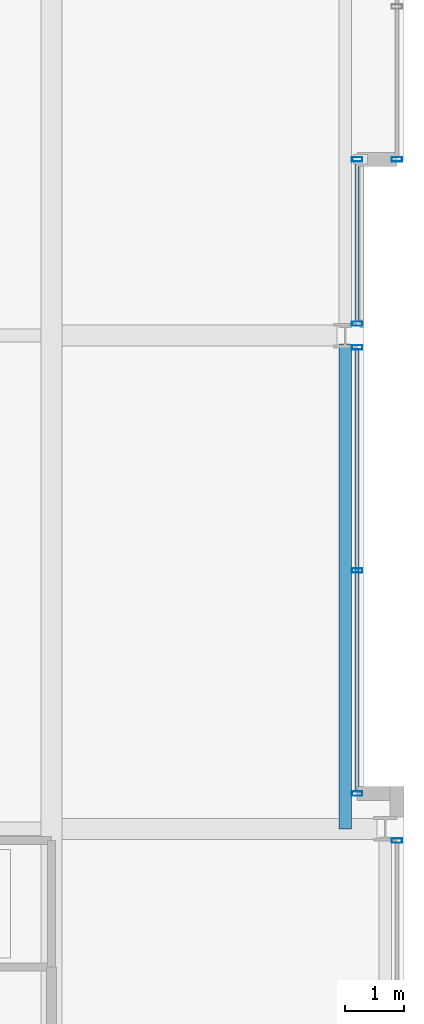
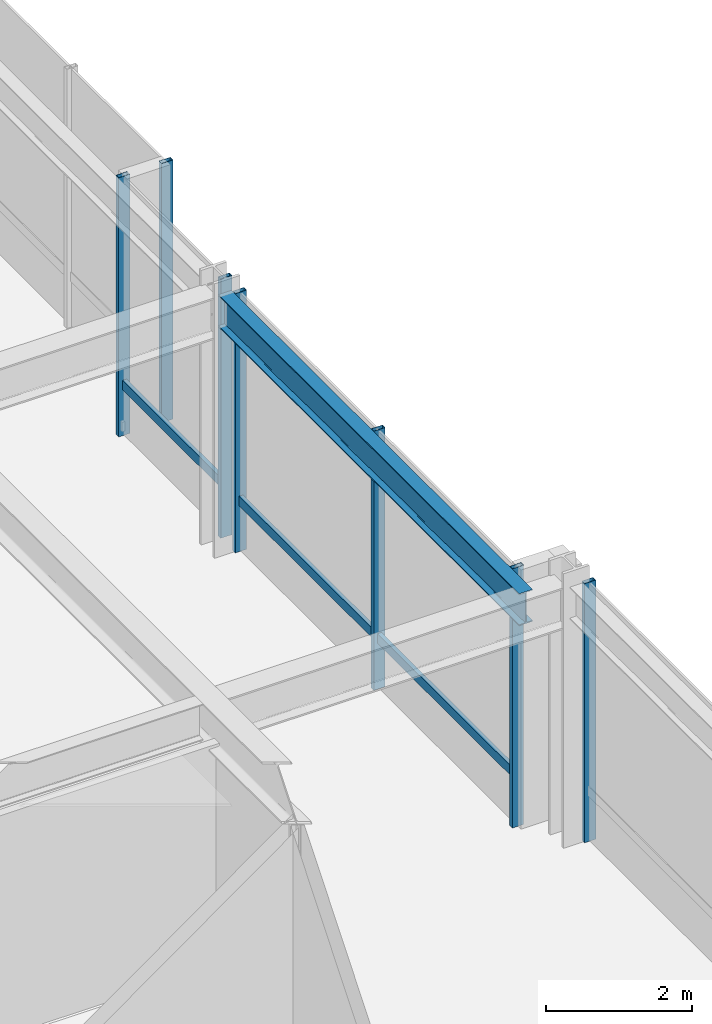
# One storey, part 15 of 32: 9 members, 1 beam, 4 elements without a shape of their own.
"""IFC4 building model written with IfcOpenShell, lengths in metres."""

from ifc_helpers import new_model, si_unit, direction, frame, origin, origin_2d, place, context, subcontext, project, spatial, hollow_rectangle, i_section, extrude, material, layer, layer_set, material_profile, profile_set, type_object, element, aggregate, save


model = new_model("IFC4")

# Units and contexts
model_context = context("Model", 3, precision=1e-05, world=origin(), true_north=direction((0.0, 1.0)))
body_context = subcontext(model_context, "Body", "Model", "MODEL_VIEW")
ifc_project = project(units=[si_unit("LENGTHUNIT", "METRE"), si_unit("AREAUNIT", "SQUARE_METRE"), si_unit("VOLUMEUNIT", "CUBIC_METRE"), si_unit("PLANEANGLEUNIT", "RADIAN"), si_unit("MASSUNIT", "GRAM", prefix="KILO")], contexts=[model_context])

# Site, building, storey
site_placement = place(None, origin())
site = spatial("IfcSite", under=ifc_project, at=site_placement, CompositionType="ELEMENT")
building_placement = place(site_placement, origin())
building = spatial("IfcBuilding", under=site, at=building_placement, Name="Drelvath Grand Hotel", CompositionType="ELEMENT")
storey_placement = place(building_placement, frame((0.0, 0.0, 145.800048828125)))
storey = spatial("IfcBuildingStorey", under=building, at=storey_placement, Name="L37", CompositionType="ELEMENT", Elevation=145.800048828125)

# Curtain wall, member
ifc_material_1 = material(Name="Brushed Pale-Silver Anodised Aluminium Frame", Category="aluminium")
ifc_layer = layer(ifc_material_1, 0.199951171875)
ifc_layer_set = layer_set([ifc_layer], Name="Brushed Pale-Silver Anodised Aluminium Frame")
curtain_wall_type = type_object("IfcCurtainWallType", Name="Stick Curtain Wall CW-04 Brushed Silver Upper-Mid", PredefinedType="NOTDEFINED", material=ifc_layer_set)
curtain_wall_1_placement = place(storey_placement, origin())
curtain_wall_1 = element("IfcCurtainWall", 1, at=curtain_wall_1_placement, inside=storey, type_object=curtain_wall_type, Name="L37 CW-04 Curtain Wall CW04-L37-EM1", PredefinedType="NOTDEFINED")
ifc_material_profile_1 = material_profile(ifc_material_1, hollow_rectangle(XDim=0.06494140625, YDim=0.159912109375, WallThickness=0.00390625, at=origin_2d()), Name="HSS160X65X4")
ifc_profile_set_1 = profile_set([ifc_material_profile_1], Name="Brushed Pale-Silver Anodised Aluminium Frame")
member_type_1 = type_object("IfcMemberType", Name="Curtain Wall Horizontal Transom CW-04 HSS160X65X4", PredefinedType="USERDEFINED", material=ifc_profile_set_1)
member_1_placement = place(storey_placement, frame((21.39990234375, 26.760009765625, 0.849853515625), z_axis=(0.0, -1.0, 0.0), x_axis=(1.0, 0.0, 0.0)))
member_1 = element("IfcMember", 2, at=member_1_placement, type_object=member_type_1, Name="CW04-L37-EM1 Sill Transom", ObjectType="TRANSOM", PredefinedType="USERDEFINED", context=body_context, shape_type="SweptSolid", body=[
    extrude(hollow_rectangle(XDim=0.06494140625, YDim=0.159912109375, WallThickness=0.00390625, at=origin_2d()), origin(), (0.0, 0.0, 1.0), 7.52001953125),
])

curtain_wall_2_placement = place(storey_placement, origin())
curtain_wall_2 = element("IfcCurtainWall", 3, at=curtain_wall_2_placement, inside=storey, type_object=curtain_wall_type, Name="L37 CW-04 Curtain Wall CW04-L37-EM2", PredefinedType="NOTDEFINED")
member_2_placement = place(storey_placement, frame((21.39990234375, 29.9599609375, 0.849853515625), z_axis=(0.0, -1.0, 0.0), x_axis=(1.0, 0.0, 0.0)))
member_2 = element("IfcMember", 4, at=member_2_placement, type_object=member_type_1, Name="CW04-L37-EM2 Sill Transom", ObjectType="TRANSOM", PredefinedType="USERDEFINED", context=body_context, shape_type="SweptSolid", body=[
    extrude(hollow_rectangle(XDim=0.06494140625, YDim=0.159912109375, WallThickness=0.00390625, at=origin_2d()), origin(), (0.0, 0.0, 1.0), 2.719970703125),
])

curtain_wall_3_placement = place(storey_placement, origin())
curtain_wall_3 = element("IfcCurtainWall", 5, at=curtain_wall_3_placement, inside=storey, type_object=curtain_wall_type, Name="L37 CW-04 Curtain Wall CW04-L37-EN1", PredefinedType="NOTDEFINED")
ifc_material_profile_2 = material_profile(ifc_material_1, hollow_rectangle(XDim=0.074951171875, YDim=0.179931640625, WallThickness=0.0048828125, at=origin_2d()), Name="HSS180X75X5")
ifc_profile_set_2 = profile_set([ifc_material_profile_2], Name="Brushed Pale-Silver Anodised Aluminium Frame")
member_type_2 = type_object("IfcMemberType", Name="Curtain Wall Vertical Mullion CW-04 HSS180X75X5", PredefinedType="MULLION", material=ifc_profile_set_2)
member_3_placement = place(storey_placement, frame((22.080078125, 30.0, 0.0), z_axis=(0.0, 0.0, 1.0), x_axis=(0.0, 1.0, 0.0)))
member_3 = element("IfcMember", 6, at=member_3_placement, type_object=member_type_2, Name="CW04-L37-EN1 Mullion 3", PredefinedType="MULLION", context=body_context, shape_type="SweptSolid", body=[
    extrude(hollow_rectangle(XDim=0.074951171875, YDim=0.179931640625, WallThickness=0.0048828125, at=origin_2d()), origin(), (0.0, 0.0, 1.0), 4.33984375),
])
aggregate(curtain_wall_3, [member_3])

# Member
member_4_placement = place(storey_placement, frame((21.39990234375, 26.7998046875, 0.0), z_axis=(0.0, 0.0, 1.0), x_axis=(0.0, 1.0, 0.0)))
member_4 = element("IfcMember", 7, at=member_4_placement, type_object=member_type_2, Name="CW04-L37-EM1 Mullion 1", PredefinedType="MULLION", context=body_context, shape_type="SweptSolid", body=[
    extrude(hollow_rectangle(XDim=0.074951171875, YDim=0.179931640625, WallThickness=0.0048828125, at=origin_2d()), origin(), (0.0, 0.0, 1.0), 4.33984375),
])

member_5_placement = place(storey_placement, frame((21.39990234375, 23.0, 0.0), z_axis=(0.0, 0.0, 1.0), x_axis=(0.0, 1.0, 0.0)))
member_5 = element("IfcMember", 8, at=member_5_placement, type_object=member_type_2, Name="CW04-L37-EM1 Mullion 2", PredefinedType="MULLION", context=body_context, shape_type="SweptSolid", body=[
    extrude(hollow_rectangle(XDim=0.074951171875, YDim=0.179931640625, WallThickness=0.0048828125, at=origin_2d()), origin(), (0.0, 0.0, 1.0), 4.33984375),
])

member_6_placement = place(storey_placement, frame((21.39990234375, 19.199951171875, 0.0), z_axis=(0.0, 0.0, 1.0), x_axis=(0.0, 1.0, 0.0)))
member_6 = element("IfcMember", 9, at=member_6_placement, type_object=member_type_2, Name="CW04-L37-EM1 Mullion 3", PredefinedType="MULLION", context=body_context, shape_type="SweptSolid", body=[
    extrude(hollow_rectangle(XDim=0.074951171875, YDim=0.179931640625, WallThickness=0.0048828125, at=origin_2d()), origin(), (0.0, 0.0, 1.0), 4.33984375),
])

aggregate(curtain_wall_1, [member_4, member_5, member_6, member_1])

member_7_placement = place(storey_placement, frame((21.39990234375, 30.0, 0.0), z_axis=(0.0, 0.0, 1.0), x_axis=(0.0, 1.0, 0.0)))
member_7 = element("IfcMember", 10, at=member_7_placement, type_object=member_type_2, Name="CW04-L37-EM2 Mullion 1", PredefinedType="MULLION", context=body_context, shape_type="SweptSolid", body=[
    extrude(hollow_rectangle(XDim=0.074951171875, YDim=0.179931640625, WallThickness=0.0048828125, at=origin_2d()), origin(), (0.0, 0.0, 1.0), 4.33984375),
])

member_8_placement = place(storey_placement, frame((21.39990234375, 27.2001953125, 0.0), z_axis=(0.0, 0.0, 1.0), x_axis=(0.0, 1.0, 0.0)))
member_8 = element("IfcMember", 11, at=member_8_placement, type_object=member_type_2, Name="CW04-L37-EM2 Mullion 2", PredefinedType="MULLION", context=body_context, shape_type="SweptSolid", body=[
    extrude(hollow_rectangle(XDim=0.074951171875, YDim=0.179931640625, WallThickness=0.0048828125, at=origin_2d()), origin(), (0.0, 0.0, 1.0), 4.33984375),
])

aggregate(curtain_wall_2, [member_7, member_8, member_2])

# Curtain wall, member
curtain_wall_4_placement = place(storey_placement, origin())
curtain_wall_4 = element("IfcCurtainWall", 12, at=curtain_wall_4_placement, inside=storey, type_object=curtain_wall_type, Name="L37 CW-04 Curtain Wall CW04-L37-ES2", PredefinedType="NOTDEFINED")
member_9_placement = place(storey_placement, frame((22.080078125, 18.39990234375, 0.0), z_axis=(0.0, 0.0, 1.0), x_axis=(0.0, 1.0, 0.0)))
member_9 = element("IfcMember", 13, at=member_9_placement, type_object=member_type_2, Name="CW04-L37-ES2 Mullion 1", PredefinedType="MULLION", context=body_context, shape_type="SweptSolid", body=[
    extrude(hollow_rectangle(XDim=0.074951171875, YDim=0.179931640625, WallThickness=0.0048828125, at=origin_2d()), origin(), (0.0, 0.0, 1.0), 4.33984375),
])
aggregate(curtain_wall_4, [member_9])

# Beam
ifc_material_2 = material(Name="Steel ASTM A992 Gr 50", Category="steel")
ifc_material_profile_3 = material_profile(ifc_material_2, i_section(OverallWidth=0.210205078125, OverallDepth=0.53662109375, WebThickness=0.010986328125, FlangeThickness=0.017333984375, FilletRadius=0.01806640625, at=origin_2d()), Name="W21X68")
ifc_profile_set_3 = profile_set([ifc_material_profile_3], Name="Steel ASTM A992 Gr 50")
beam_type = type_object("IfcBeamType", Name="Perimeter Spandrel Beam W21X68", PredefinedType="SPANDREL", material=ifc_profile_set_3)
beam_placement = place(storey_placement, frame((21.199951171875, 18.60009765625, 4.071533203125), z_axis=(0.0, 1.0, 0.0), x_axis=(-1.0, 0.0, 0.0)))
element("IfcBeam", 14, at=beam_placement, inside=storey, type_object=beam_type, Name="L37 Spandrel East Mid S", PredefinedType="SPANDREL", context=body_context, shape_type="SweptSolid", body=[
    extrude(i_section(OverallWidth=0.210205078125, OverallDepth=0.53662109375, WebThickness=0.010986328125, FlangeThickness=0.017333984375, FilletRadius=0.01806640625, at=origin_2d()), origin(), (0.0, 0.0, 1.0), 8.260009765625),
])

save(model, "model.ifc")
